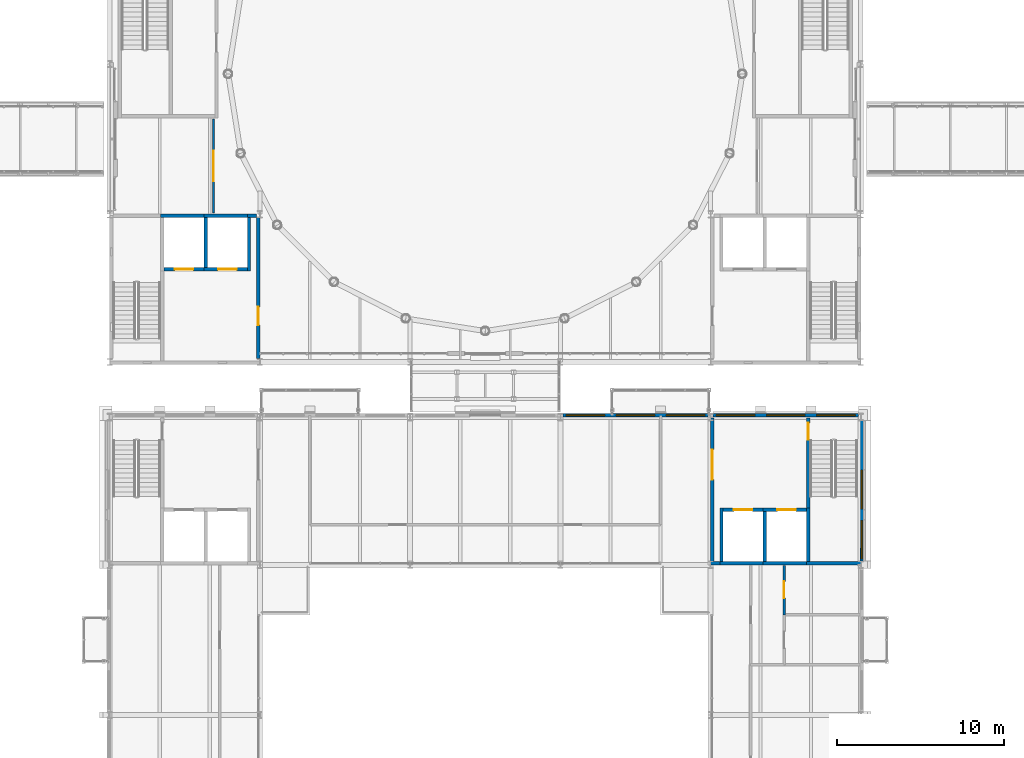
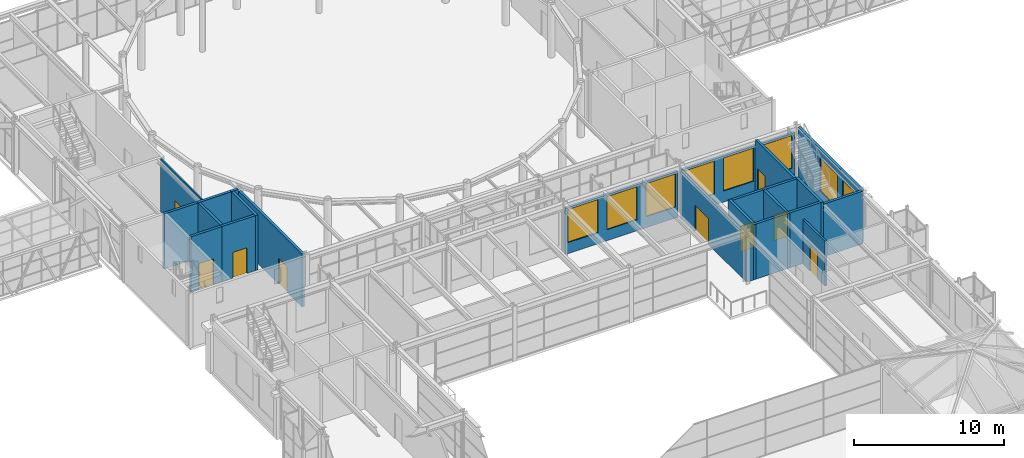
# One storey, part 97 of 149: 24 walls, 9 doors, 8 windows, 17 openings.
"""IFC4 building model written with IfcOpenShell, lengths in metres."""

from ifc_helpers import new_model, si_unit, direction, frame, frame_2d, origin, place, context, subcontext, project, spatial, rectangle, extrude, material, layer, layer_set, type_object, element, fill, save


model = new_model("IFC4")

# Units and contexts
model_context = context("Model", 3, precision=1e-05, world=origin(), true_north=direction((0.0, 1.0)))
body_context = subcontext(model_context, "Body", "Model", "MODEL_VIEW")
ifc_project = project(units=[si_unit("LENGTHUNIT", "METRE"), si_unit("AREAUNIT", "SQUARE_METRE"), si_unit("VOLUMEUNIT", "CUBIC_METRE"), si_unit("PLANEANGLEUNIT", "RADIAN"), si_unit("MASSUNIT", "GRAM", prefix="KILO")], contexts=[model_context])

# Site, building, storey
site_placement = place(None, origin())
site = spatial("IfcSite", under=ifc_project, at=site_placement, CompositionType="ELEMENT")
building_placement = place(site_placement, origin())
building = spatial("IfcBuilding", under=site, at=building_placement, Name="Kallimachos Central Library", CompositionType="ELEMENT")
storey_placement = place(building_placement, frame((0.0, 0.0, 9.89990234375)))
storey = spatial("IfcBuildingStorey", under=building, at=storey_placement, Name="L02", CompositionType="ELEMENT", Elevation=9.89990234375)

# Wall, opening, door
ifc_material_1 = material(Name="Concrete C30/37", Category="concrete")
ifc_layer_1 = layer(ifc_material_1, 0.199951171875)
ifc_layer_set_1 = layer_set([ifc_layer_1], Name="Core wall 200")
wall_type_1 = type_object("IfcWallType", Name="Core wall 200", PredefinedType="SOLIDWALL", material=ifc_layer_set_1)
wall_1_placement = place(storey_placement, frame((74.39990234375, 87.35009765625, 0.0), z_axis=(0.0, 0.0, 1.0), x_axis=(0.0, 1.0, 0.0)))
wall_1 = element("IfcWall", 1, at=wall_1_placement, inside=storey, type_object=wall_type_1, Name="Core wall V1-SW E", PredefinedType="SOLIDWALL", context=body_context, shape_type="SweptSolid", body=[
    extrude(rectangle(XDim=8.449951171875, YDim=0.199951171875, at=frame_2d((4.22509765625, 0.0))), origin(), (0.0, 0.0, 1.0), 4.35009765625),
])
opening_1_placement = place(wall_1_placement, frame((2.0, 0.0, 0.0)))
opening_1 = element("IfcOpeningElement", 2, at=opening_1_placement, cuts=wall_1, Name="Opening D222", PredefinedType="OPENING", context=body_context, shape_type="SweptSolid", body=[
    extrude(rectangle(XDim=1.10009765625, YDim=2.10009765625, at=frame_2d((0.550048828125, 1.050048828125))), frame((0.0, 0.10986328125, 0.0), z_axis=(0.0, -1.0, 0.0), x_axis=(1.0, 0.0, 0.0)), (0.0, 0.0, 1.0), 0.219970703125),
])
ifc_material_2 = material(Name="Steel fire door", Category="steel")
door_type_1 = type_object("IfcDoorType", Name="Fire door EI2 90 1100 x 2100", OperationType="NOTDEFINED", PredefinedType="DOOR", material=ifc_material_2)
door_1_placement = place(opening_1_placement, origin())
door_1 = element("IfcDoor", 3, at=door_1_placement, inside=storey, type_object=door_type_1, Name="V1-DOR-L02-008", OperationType="SINGLE_SWING_RIGHT", OverallHeight=2.10009765625, OverallWidth=1.10009765625, PredefinedType="DOOR", context=body_context, shape_type="SweptSolid", body=[
    extrude(rectangle(XDim=1.10009765625, YDim=2.10009765625, at=frame_2d((0.550048828125, 1.050048828125))), frame((0.0, 0.02490234375, 0.0), z_axis=(0.0, -1.0, 0.0), x_axis=(1.0, 0.0, 0.0)), (0.0, 0.0, 1.0), 0.050048828125),
])
fill(opening_1, door_1)

# Wall
wall_2_placement = place(storey_placement, frame((73.75, 95.89990234375, 0.0), z_axis=(0.0, 0.0, 1.0), x_axis=(1.0, 0.0, 0.0)))
element("IfcWall", 4, at=wall_2_placement, inside=storey, type_object=wall_type_1, Name="Core wall V1-SW N", PredefinedType="SOLIDWALL", context=body_context, shape_type="SweptSolid", body=[
    extrude(rectangle(XDim=0.550048828125, YDim=0.199951171875, at=frame_2d((0.27490234375, 0.0))), origin(), (0.0, 0.0, 1.0), 4.5),
])

# Wall, opening, door
ifc_material_3 = material(Name="Concrete C30/37", Category="concrete")
ifc_layer_2 = layer(ifc_material_3, 0.199951171875)
ifc_layer_set_2 = layer_set([ifc_layer_2], Name="Lift shaft wall 200")
wall_type_2 = type_object("IfcWallType", Name="Lift shaft wall 200", PredefinedType="SOLIDWALL", material=ifc_layer_set_2)
wall_3_placement = place(storey_placement, frame((104.64990234375, 78.300048828125, 0.0), z_axis=(0.0, 0.0, 1.0), x_axis=(1.0, 0.0, 0.0)))
wall_3 = element("IfcWall", 5, at=wall_3_placement, inside=storey, type_object=wall_type_2, Name="V4-WAL-L02-008", PredefinedType="SOLIDWALL", context=body_context, shape_type="SweptSolid", body=[
    extrude(rectangle(XDim=2.60009765625, YDim=0.199951171875, at=frame_2d((1.300048828125, 0.0))), origin(), (0.0, 0.0, 1.0), 4.5),
])
opening_2_placement = place(wall_3_placement, frame((0.85009765625, 0.0, 0.0)))
opening_2 = element("IfcOpeningElement", 6, at=opening_2_placement, cuts=wall_3, Name="Opening LD1100", PredefinedType="OPENING", context=body_context, shape_type="SweptSolid", body=[
    extrude(rectangle(XDim=1.10009765625, YDim=2.10009765625, at=frame_2d((0.550048828125, 1.050048828125))), frame((0.0, 0.10986328125, 0.0), z_axis=(0.0, -1.0, 0.0), x_axis=(1.0, 0.0, 0.0)), (0.0, 0.0, 1.0), 0.219970703125),
])
ifc_material_4 = material(Name="Stainless steel", Category="steel")
door_type_2 = type_object("IfcDoorType", Name="Lift landing door 1100 x 2100", OperationType="SLIDING_TO_LEFT", PredefinedType="DOOR", material=ifc_material_4)
door_2_placement = place(opening_2_placement, origin())
door_2 = element("IfcDoor", 7, at=door_2_placement, inside=storey, type_object=door_type_2, Name="LF9 landing door L02", OperationType="SLIDING_TO_LEFT", OverallHeight=2.10009765625, OverallWidth=1.10009765625, PredefinedType="DOOR", context=body_context, shape_type="SweptSolid", body=[
    extrude(rectangle(XDim=1.10009765625, YDim=2.10009765625, at=frame_2d((0.550048828125, 1.050048828125))), frame((0.0, 0.02490234375, 0.0), z_axis=(0.0, -1.0, 0.0), x_axis=(1.0, 0.0, 0.0)), (0.0, 0.0, 1.0), 0.050048828125),
])
fill(opening_2, door_2)

# Walls
wall_4_placement = place(storey_placement, frame((104.64990234375, 75.10009765625, 0.0), z_axis=(0.0, 0.0, 1.0), x_axis=(1.0, 0.0, 0.0)))
element("IfcWall", 8, at=wall_4_placement, inside=storey, type_object=wall_type_2, Name="V4-WAL-L02-009", PredefinedType="SOLIDWALL", context=body_context, shape_type="SweptSolid", body=[
    extrude(rectangle(XDim=2.60009765625, YDim=0.199951171875, at=frame_2d((1.300048828125, 0.0))), origin(), (0.0, 0.0, 1.0), 4.5),
])
for number, where, z_axis, x_axis, name in (
    (9, (104.75, 75.0, 0.0), (0.0, 0.0, 1.0), (0.0, 1.0, 0.0), "V4-WAL-L02-010"),
    (10, (107.35009765625, 75.0, 0.0), (0.0, 0.0, 1.0), (0.0, 1.0, 0.0), "V4-WAL-L02-011"),
):
    element("IfcWall", number, at=place(storey_placement, frame(where, z_axis=z_axis, x_axis=x_axis)), inside=storey, type_object=wall_type_2, Name=name, PredefinedType="SOLIDWALL", context=body_context, shape_type="SweptSolid", body=[
        extrude(rectangle(XDim=3.39990234375, YDim=0.199951171875, at=frame_2d((1.699951171875, 0.0))), origin(), (0.0, 0.0, 1.0), 4.5),
    ])

# Wall, opening, door
wall_5_placement = place(storey_placement, frame((102.25, 78.300048828125, 0.0), z_axis=(0.0, 0.0, 1.0), x_axis=(1.0, 0.0, 0.0)))
wall_5 = element("IfcWall", 11, at=wall_5_placement, inside=storey, type_object=wall_type_2, Name="V4-WAL-L02-012", PredefinedType="SOLIDWALL", context=body_context, shape_type="SweptSolid", body=[
    extrude(rectangle(XDim=2.39990234375, YDim=0.199951171875, at=frame_2d((1.199951171875, 0.0))), origin(), (0.0, 0.0, 1.0), 4.5),
])
opening_3_placement = place(wall_5_placement, frame((0.64990234375, 0.0, 0.0)))
opening_3 = element("IfcOpeningElement", 12, at=opening_3_placement, cuts=wall_5, Name="Opening LD1100", PredefinedType="OPENING", context=body_context, shape_type="SweptSolid", body=[
    extrude(rectangle(XDim=1.10009765625, YDim=2.10009765625, at=frame_2d((0.550048828125, 1.050048828125))), frame((0.0, 0.10986328125, 0.0), z_axis=(0.0, -1.0, 0.0), x_axis=(1.0, 0.0, 0.0)), (0.0, 0.0, 1.0), 0.219970703125),
])
door_3_placement = place(opening_3_placement, origin())
door_3 = element("IfcDoor", 13, at=door_3_placement, inside=storey, type_object=door_type_2, Name="LF10 landing door L02", OperationType="SLIDING_TO_LEFT", OverallHeight=2.10009765625, OverallWidth=1.10009765625, PredefinedType="DOOR", context=body_context, shape_type="SweptSolid", body=[
    extrude(rectangle(XDim=1.10009765625, YDim=2.10009765625, at=frame_2d((0.550048828125, 1.050048828125))), frame((0.0, 0.02490234375, 0.0), z_axis=(0.0, -1.0, 0.0), x_axis=(1.0, 0.0, 0.0)), (0.0, 0.0, 1.0), 0.050048828125),
])
fill(opening_3, door_3)

# Walls
wall_6_placement = place(storey_placement, frame((102.050048828125, 75.10009765625, 0.0), z_axis=(0.0, 0.0, 1.0), x_axis=(1.0, 0.0, 0.0)))
element("IfcWall", 14, at=wall_6_placement, inside=storey, type_object=wall_type_2, Name="V4-WAL-L02-013", PredefinedType="SOLIDWALL", context=body_context, shape_type="SweptSolid", body=[
    extrude(rectangle(XDim=2.599853515625, YDim=0.199951171875, at=frame_2d((1.2998046875, 0.0))), origin(), (0.0, 0.0, 1.0), 4.5),
])
wall_7_placement = place(storey_placement, frame((102.14990234375, 75.0, 0.0), z_axis=(0.0, 0.0, 1.0), x_axis=(0.0, 1.0, 0.0)))
element("IfcWall", 15, at=wall_7_placement, inside=storey, type_object=wall_type_2, Name="V4-WAL-L02-014", PredefinedType="SOLIDWALL", context=body_context, shape_type="SweptSolid", body=[
    extrude(rectangle(XDim=3.39990234375, YDim=0.199951171875, at=frame_2d((1.699951171875, 0.0))), origin(), (0.0, 0.0, 1.0), 4.5),
])
wall_8_placement = place(storey_placement, frame((68.550048828125, 95.89990234375, 0.0), z_axis=(0.0, 0.0, 1.0), x_axis=(1.0, 0.0, 0.0)))
element("IfcWall", 16, at=wall_8_placement, inside=storey, type_object=wall_type_2, Name="V1-WAL-L02-001", PredefinedType="SOLIDWALL", context=body_context, shape_type="SweptSolid", body=[
    extrude(rectangle(XDim=2.599853515625, YDim=0.199951171875, at=frame_2d((1.2998046875, 0.0))), origin(), (0.0, 0.0, 1.0), 4.5),
])

# Wall, opening, door
wall_9_placement = place(storey_placement, frame((68.75, 92.699951171875, 0.0), z_axis=(0.0, 0.0, 1.0), x_axis=(1.0, 0.0, 0.0)))
wall_9 = element("IfcWall", 17, at=wall_9_placement, inside=storey, type_object=wall_type_2, Name="V1-WAL-L02-002", PredefinedType="SOLIDWALL", context=body_context, shape_type="SweptSolid", body=[
    extrude(rectangle(XDim=2.39990234375, YDim=0.199951171875, at=frame_2d((1.199951171875, 0.0))), origin(), (0.0, 0.0, 1.0), 4.5),
])
opening_4_placement = place(wall_9_placement, frame((0.64990234375, 0.0, 0.0)))
opening_4 = element("IfcOpeningElement", 18, at=opening_4_placement, cuts=wall_9, Name="Opening LD1100", PredefinedType="OPENING", context=body_context, shape_type="SweptSolid", body=[
    extrude(rectangle(XDim=1.10009765625, YDim=2.10009765625, at=frame_2d((0.550048828125, 1.050048828125))), frame((0.0, 0.10986328125, 0.0), z_axis=(0.0, -1.0, 0.0), x_axis=(1.0, 0.0, 0.0)), (0.0, 0.0, 1.0), 0.219970703125),
])
door_4_placement = place(opening_4_placement, origin())
door_4 = element("IfcDoor", 19, at=door_4_placement, inside=storey, type_object=door_type_2, Name="LF1 landing door L02", OperationType="SLIDING_TO_LEFT", OverallHeight=2.10009765625, OverallWidth=1.10009765625, PredefinedType="DOOR", context=body_context, shape_type="SweptSolid", body=[
    extrude(rectangle(XDim=1.10009765625, YDim=2.10009765625, at=frame_2d((0.550048828125, 1.050048828125))), frame((0.0, 0.02490234375, 0.0), z_axis=(0.0, -1.0, 0.0), x_axis=(1.0, 0.0, 0.0)), (0.0, 0.0, 1.0), 0.050048828125),
])
fill(opening_4, door_4)

# Walls
wall_10_placement = place(storey_placement, frame((71.25, 92.60009765625, 0.0), z_axis=(0.0, 0.0, 1.0), x_axis=(0.0, 1.0, 0.0)))
element("IfcWall", 20, at=wall_10_placement, inside=storey, type_object=wall_type_2, Name="V1-WAL-L02-004", PredefinedType="SOLIDWALL", context=body_context, shape_type="SweptSolid", body=[
    extrude(rectangle(XDim=3.39990234375, YDim=0.199951171875, at=frame_2d((1.699951171875, 0.0))), origin(), (0.0, 0.0, 1.0), 4.5),
])
wall_11_placement = place(storey_placement, frame((71.14990234375, 95.89990234375, 0.0), z_axis=(0.0, 0.0, 1.0), x_axis=(1.0, 0.0, 0.0)))
element("IfcWall", 21, at=wall_11_placement, inside=storey, type_object=wall_type_2, Name="V1-WAL-L02-005", PredefinedType="SOLIDWALL", context=body_context, shape_type="SweptSolid", body=[
    extrude(rectangle(XDim=2.60009765625, YDim=0.199951171875, at=frame_2d((1.300048828125, 0.0))), origin(), (0.0, 0.0, 1.0), 4.5),
])

# Wall, opening, door
wall_12_placement = place(storey_placement, frame((71.14990234375, 92.699951171875, 0.0), z_axis=(0.0, 0.0, 1.0), x_axis=(1.0, 0.0, 0.0)))
wall_12 = element("IfcWall", 22, at=wall_12_placement, inside=storey, type_object=wall_type_2, Name="V1-WAL-L02-006", PredefinedType="SOLIDWALL", context=body_context, shape_type="SweptSolid", body=[
    extrude(rectangle(XDim=2.60009765625, YDim=0.199951171875, at=frame_2d((1.300048828125, 0.0))), origin(), (0.0, 0.0, 1.0), 4.5),
])
opening_5_placement = place(wall_12_placement, frame((0.85009765625, 0.0, 0.0)))
opening_5 = element("IfcOpeningElement", 23, at=opening_5_placement, cuts=wall_12, Name="Opening LD1100", PredefinedType="OPENING", context=body_context, shape_type="SweptSolid", body=[
    extrude(rectangle(XDim=1.10009765625, YDim=2.10009765625, at=frame_2d((0.550048828125, 1.050048828125))), frame((0.0, 0.10986328125, 0.0), z_axis=(0.0, -1.0, 0.0), x_axis=(1.0, 0.0, 0.0)), (0.0, 0.0, 1.0), 0.219970703125),
])
door_5_placement = place(opening_5_placement, origin())
door_5 = element("IfcDoor", 24, at=door_5_placement, inside=storey, type_object=door_type_2, Name="LF2 landing door L02", OperationType="SLIDING_TO_LEFT", OverallHeight=2.10009765625, OverallWidth=1.10009765625, PredefinedType="DOOR", context=body_context, shape_type="SweptSolid", body=[
    extrude(rectangle(XDim=1.10009765625, YDim=2.10009765625, at=frame_2d((0.550048828125, 1.050048828125))), frame((0.0, 0.02490234375, 0.0), z_axis=(0.0, -1.0, 0.0), x_axis=(1.0, 0.0, 0.0)), (0.0, 0.0, 1.0), 0.050048828125),
])
fill(opening_5, door_5)

# Wall
wall_13_placement = place(storey_placement, frame((73.85009765625, 92.60009765625, 0.0), z_axis=(0.0, 0.0, 1.0), x_axis=(0.0, 1.0, 0.0)))
element("IfcWall", 25, at=wall_13_placement, inside=storey, type_object=wall_type_2, Name="V1-WAL-L02-007", PredefinedType="SOLIDWALL", context=body_context, shape_type="SweptSolid", body=[
    extrude(rectangle(XDim=3.39990234375, YDim=0.199951171875, at=frame_2d((1.699951171875, 0.0))), origin(), (0.0, 0.0, 1.0), 4.5),
])

# Wall, opening, door
ifc_material_5 = material(Name="Plasterboard on steel studs", Category="steel")
ifc_layer_3 = layer(ifc_material_5, 0.10009765625)
ifc_layer_set_3 = layer_set([ifc_layer_3], Name="Partition 100")
wall_type_3 = type_object("IfcWallType", Name="Partition 100", PredefinedType="PARTITIONING", material=ifc_layer_set_3)
wall_14_placement = place(storey_placement, frame((71.719970703125, 101.695068359375, 0.0), z_axis=(0.0, 0.0, 1.0), x_axis=(0.0, -1.0, 0.0)))
wall_14 = element("IfcWall", 26, at=wall_14_placement, inside=storey, type_object=wall_type_3, Name="Partition", PredefinedType="PARTITIONING", context=body_context, shape_type="SweptSolid", body=[
    extrude(rectangle(XDim=5.614990234375, YDim=0.10009765625, at=frame_2d((2.8076171875, 0.0))), origin(), (0.0, 0.0, 1.0), 4.35009765625),
])
opening_6_placement = place(wall_14_placement, frame((1.907470703125, 0.0, 0.0)))
opening_6 = element("IfcOpeningElement", 27, at=opening_6_placement, cuts=wall_14, Name="Opening D264", PredefinedType="OPENING", context=body_context, shape_type="SweptSolid", body=[
    extrude(rectangle(XDim=1.800048828125, YDim=2.10009765625, at=frame_2d((0.89990234375, 1.050048828125))), frame((0.0, 0.06005859375, 0.0), z_axis=(0.0, -1.0, 0.0), x_axis=(1.0, 0.0, 0.0)), (0.0, 0.0, 1.0), 0.1201171875),
])
ifc_material_6 = material(Name="Oak veneered door leaf")
door_type_3 = type_object("IfcDoorType", Name="Double leaf door EI2 30 1800 x 2100", OperationType="DOUBLE_DOOR_SINGLE_SWING", PredefinedType="DOOR", material=ifc_material_6)
door_6_placement = place(opening_6_placement, origin())
door_6 = element("IfcDoor", 28, at=door_6_placement, inside=storey, type_object=door_type_3, Name="V1-DOR-L02-012", OperationType="DOUBLE_DOOR_SINGLE_SWING", OverallHeight=2.10009765625, OverallWidth=1.800048828125, PredefinedType="DOOR", context=body_context, shape_type="SweptSolid", body=[
    extrude(rectangle(XDim=1.800048828125, YDim=2.10009765625, at=frame_2d((0.89990234375, 1.050048828125))), frame((0.0, 0.02490234375, 0.0), z_axis=(0.0, -1.0, 0.0), x_axis=(1.0, 0.0, 0.0)), (0.0, 0.0, 1.0), 0.050048828125),
])
fill(opening_6, door_6)

ifc_material_7 = material(Name="Gypsum board on steel studs", Category="steel")
ifc_layer_4 = layer(ifc_material_7, 0.14990234375)
ifc_layer_set_4 = layer_set([ifc_layer_4], Name="Partition wall 150")
wall_type_4 = type_object("IfcWallType", Name="Partition wall 150", PredefinedType="PARTITIONING", material=ifc_layer_set_4)
wall_15_placement = place(storey_placement, frame((105.89990234375, 72.0, 0.0), z_axis=(0.0, 0.0, 1.0), x_axis=(0.0, 1.0, 0.0)))
wall_15 = element("IfcWall", 29, at=wall_15_placement, inside=storey, type_object=wall_type_4, Name="L02 partition", PredefinedType="PARTITIONING", context=body_context, shape_type="SweptSolid", body=[
    extrude(rectangle(XDim=2.949951171875, YDim=0.14990234375, at=frame_2d((1.47509765625, 0.0))), origin(), (0.0, 0.0, 1.0), 3.650146484375),
])
opening_7_placement = place(wall_15_placement, frame((1.0, 0.0, 0.0)))
opening_7 = element("IfcOpeningElement", 30, at=opening_7_placement, cuts=wall_15, Name="Opening D206", PredefinedType="OPENING", context=body_context, shape_type="SweptSolid", body=[
    extrude(rectangle(XDim=1.0, YDim=2.10009765625, at=frame_2d((0.5, 1.050048828125))), frame((0.0, 0.0849609375, 0.0), z_axis=(0.0, -1.0, 0.0), x_axis=(1.0, 0.0, 0.0)), (0.0, 0.0, 1.0), 0.169921875),
])
ifc_material_8 = material(Name="Timber", Category="wood")
door_type_4 = type_object("IfcDoorType", Name="Single leaf door 1000 x 2100, EI2 30", OperationType="NOTDEFINED", PredefinedType="DOOR", material=ifc_material_8)
door_7_placement = place(opening_7_placement, origin())
door_7 = element("IfcDoor", 31, at=door_7_placement, inside=storey, type_object=door_type_4, Name="L02 door Accessible WC", OperationType="SINGLE_SWING_LEFT", OverallHeight=2.10009765625, OverallWidth=1.0, PredefinedType="DOOR", context=body_context, shape_type="SweptSolid", body=[
    extrude(rectangle(XDim=1.0, YDim=2.10009765625, at=frame_2d((0.5, 1.050048828125))), frame((0.0, 0.02490234375, 0.0), z_axis=(0.0, -1.0, 0.0), x_axis=(1.0, 0.0, 0.0)), (0.0, 0.0, 1.0), 0.050048828125),
])
fill(opening_7, door_7)

# Walls
ifc_material_9 = material(Name="Concrete C35/45", Category="concrete")
ifc_layer_5 = layer(ifc_material_9, 0.199951171875)
ifc_layer_set_5 = layer_set([ifc_layer_5], Name="Shear core wall 200, internal")
wall_type_5 = type_object("IfcWallType", Name="Shear core wall 200, internal", PredefinedType="SHEAR", material=ifc_layer_set_5)
wall_16_placement = place(storey_placement, frame((101.5, 75.10009765625, 0.0), z_axis=(0.0, 0.0, 1.0), x_axis=(1.0, 0.0, 0.0)))
element("IfcWall", 32, at=wall_16_placement, inside=storey, type_object=wall_type_5, Name="L02 core wall V4-NE S", PredefinedType="SHEAR", context=body_context, shape_type="SweptSolid", body=[
    extrude(rectangle(XDim=0.550048828125, YDim=0.199951171875, at=frame_2d((0.27490234375, 0.0))), origin(), (0.0, 0.0, 1.0), 3.75),
])
wall_17_placement = place(storey_placement, frame((107.25, 75.10009765625, 0.0), z_axis=(0.0, 0.0, 1.0), x_axis=(1.0, 0.0, 0.0)))
element("IfcWall", 33, at=wall_17_placement, inside=storey, type_object=wall_type_5, Name="L02 core wall V4-NE S2", PredefinedType="SHEAR", context=body_context, shape_type="SweptSolid", body=[
    extrude(rectangle(XDim=3.25, YDim=0.199951171875, at=frame_2d((1.625, 0.0))), origin(), (0.0, 0.0, 1.0), 4.300048828125),
])

# Wall, opening, door
wall_18_placement = place(storey_placement, frame((101.60009765625, 75.199951171875, 0.0), z_axis=(0.0, 0.0, 1.0), x_axis=(0.0, 1.0, 0.0)))
wall_18 = element("IfcWall", 34, at=wall_18_placement, inside=storey, type_object=wall_type_5, Name="L02 core wall V4-NE E", PredefinedType="SHEAR", context=body_context, shape_type="SweptSolid", body=[
    extrude(rectangle(XDim=8.60009765625, YDim=0.199951171875, at=frame_2d((4.300048828125, 0.0))), origin(), (0.0, 0.0, 1.0), 3.75),
])
opening_8_placement = place(wall_18_placement, frame((4.89990234375, 0.0, 0.0)))
opening_8 = element("IfcOpeningElement", 35, at=opening_8_placement, cuts=wall_18, Name="Opening D159", PredefinedType="OPENING", context=body_context, shape_type="SweptSolid", body=[
    extrude(rectangle(XDim=1.800048828125, YDim=2.10009765625, at=frame_2d((0.89990234375, 1.050048828125))), frame((0.0, 0.10986328125, 0.0), z_axis=(0.0, -1.0, 0.0), x_axis=(1.0, 0.0, 0.0)), (0.0, 0.0, 1.0), 0.219970703125),
])
ifc_material_10 = material(Name="Timber and glass", Category="wood")
door_type_5 = type_object("IfcDoorType", Name="Double leaf door 1800 x 2100, EI2 90", OperationType="DOUBLE_DOOR_SINGLE_SWING", PredefinedType="DOOR", material=ifc_material_10)
door_8_placement = place(opening_8_placement, origin())
door_8 = element("IfcDoor", 36, at=door_8_placement, inside=storey, type_object=door_type_5, Name="L02 core door V4-NE", OperationType="DOUBLE_DOOR_SINGLE_SWING", OverallHeight=2.10009765625, OverallWidth=1.800048828125, PredefinedType="DOOR", context=body_context, shape_type="SweptSolid", body=[
    extrude(rectangle(XDim=1.800048828125, YDim=2.10009765625, at=frame_2d((0.89990234375, 1.050048828125))), frame((0.0, 0.02490234375, 0.0), z_axis=(0.0, -1.0, 0.0), x_axis=(1.0, 0.0, 0.0)), (0.0, 0.0, 1.0), 0.050048828125),
])
fill(opening_8, door_8)

wall_19_placement = place(storey_placement, frame((107.35009765625, 78.39990234375, 0.0), z_axis=(0.0, 0.0, 1.0), x_axis=(0.0, 1.0, 0.0)))
wall_19 = element("IfcWall", 37, at=wall_19_placement, inside=storey, type_object=wall_type_5, Name="L02 core wall V4-NE M", PredefinedType="SHEAR", context=body_context, shape_type="SweptSolid", body=[
    extrude(rectangle(XDim=5.400146484375, YDim=0.199951171875, at=frame_2d((2.7001953125, 0.0))), origin(), (0.0, 0.0, 1.0), 4.300048828125),
])
opening_9_placement = place(wall_19_placement, frame((4.10009765625, 0.0, 0.0)))
opening_9 = element("IfcOpeningElement", 38, at=opening_9_placement, cuts=wall_19, Name="Opening D164", PredefinedType="OPENING", context=body_context, shape_type="SweptSolid", body=[
    extrude(rectangle(XDim=1.0, YDim=2.10009765625, at=frame_2d((0.5, 1.050048828125))), frame((0.0, 0.10986328125, 0.0), z_axis=(0.0, -1.0, 0.0), x_axis=(1.0, 0.0, 0.0)), (0.0, 0.0, 1.0), 0.219970703125),
])
ifc_material_11 = material(Name="Timber", Category="wood")
door_type_6 = type_object("IfcDoorType", Name="Single leaf door 1000 x 2100, EI2 90", OperationType="NOTDEFINED", PredefinedType="DOOR", material=ifc_material_11)
door_9_placement = place(opening_9_placement, frame((1.0, 0.0, 0.0), z_axis=(0.0, 0.0, 1.0), x_axis=(-1.0, 0.0, 0.0)))
door_9 = element("IfcDoor", 39, at=door_9_placement, inside=storey, type_object=door_type_6, Name="L02 core door V4-NE", OperationType="SINGLE_SWING_LEFT", OverallHeight=2.10009765625, OverallWidth=1.0, PredefinedType="DOOR", context=body_context, shape_type="SweptSolid", body=[
    extrude(rectangle(XDim=1.0, YDim=2.10009765625, at=frame_2d((0.5, 1.050048828125))), frame((0.0, 0.02490234375, 0.0), z_axis=(0.0, -1.0, 0.0), x_axis=(1.0, 0.0, 0.0)), (0.0, 0.0, 1.0), 0.050048828125),
])
fill(opening_9, door_9)

# Wall, openings, windows
ifc_material_12 = material(Name="Brick masonry with Pentelic marble cladding", Category="masonry")
ifc_layer_6 = layer(ifc_material_12, 0.199951171875)
ifc_layer_set_6 = layer_set([ifc_layer_6], Name="Stone-clad masonry wall 200")
wall_type_6 = type_object("IfcWallType", Name="Stone-clad masonry wall 200", PredefinedType="SOLIDWALL", material=ifc_layer_set_6)
wall_20_placement = place(storey_placement, frame((92.653564453125, 83.966064453125, 0.0), z_axis=(0.0, 0.0, 1.0), x_axis=(1.0, 0.0, 0.0)))
wall_20 = element("IfcWall", 40, at=wall_20_placement, inside=storey, type_object=wall_type_6, Name="V4-WAL-L02-018", PredefinedType="SOLIDWALL", context=body_context, shape_type="SweptSolid", body=[
    extrude(rectangle(XDim=8.69287109375, YDim=0.199951171875, at=frame_2d((4.346435546875, 0.0))), origin(), (0.0, 0.0, 1.0), 3.75),
])
opening_10_placement = place(wall_20_placement, frame((0.196533203125, 0.0, 0.89990234375)))
opening_10 = element("IfcOpeningElement", 41, at=opening_10_placement, cuts=wall_20, Name="Opening WN161", PredefinedType="OPENING", context=body_context, shape_type="SweptSolid", body=[
    extrude(rectangle(XDim=2.300048828125, YDim=2.699951171875, at=frame_2d((1.14990234375, 1.35009765625))), frame((0.0, 0.10986328125, 0.0), z_axis=(0.0, -1.0, 0.0), x_axis=(1.0, 0.0, 0.0)), (0.0, 0.0, 1.0), 0.219970703125),
])
opening_11_placement = place(wall_20_placement, frame((3.196533203125, 0.0, 0.89990234375)))
opening_11 = element("IfcOpeningElement", 42, at=opening_11_placement, cuts=wall_20, Name="Opening WN161", PredefinedType="OPENING", context=body_context, shape_type="SweptSolid", body=[
    extrude(rectangle(XDim=2.300048828125, YDim=2.699951171875, at=frame_2d((1.14990234375, 1.35009765625))), frame((0.0, 0.10986328125, 0.0), z_axis=(0.0, -1.0, 0.0), x_axis=(1.0, 0.0, 0.0)), (0.0, 0.0, 1.0), 0.219970703125),
])
opening_12_placement = place(wall_20_placement, frame((6.196533203125, 0.0, 0.89990234375)))
opening_12 = element("IfcOpeningElement", 43, at=opening_12_placement, cuts=wall_20, Name="Opening WN161", PredefinedType="OPENING", context=body_context, shape_type="SweptSolid", body=[
    extrude(rectangle(XDim=2.300048828125, YDim=2.699951171875, at=frame_2d((1.14990234375, 1.35009765625))), frame((0.0, 0.10986328125, 0.0), z_axis=(0.0, -1.0, 0.0), x_axis=(1.0, 0.0, 0.0)), (0.0, 0.0, 1.0), 0.219970703125),
])
ifc_material_13 = material(Name="Anodised aluminium and laminated glass", Category="aluminium")
window_type_1 = type_object("IfcWindowType", Name="Window 2300 x 2700", PartitioningType="DOUBLE_PANEL_VERTICAL", PredefinedType="WINDOW", material=ifc_material_13)
window_1_placement = place(opening_10_placement, origin())
window_1 = element("IfcWindow", 44, at=window_1_placement, inside=storey, type_object=window_type_1, Name="V4-WIN-L02-009", OverallHeight=2.699951171875, OverallWidth=2.300048828125, PartitioningType="SINGLE_PANEL", PredefinedType="WINDOW", context=body_context, shape_type="SweptSolid", body=[
    extrude(rectangle(XDim=2.300048828125, YDim=2.699951171875, at=frame_2d((1.14990234375, 1.35009765625))), frame((0.0, 0.030029296875, 0.0), z_axis=(0.0, -1.0, 0.0), x_axis=(1.0, 0.0, 0.0)), (0.0, 0.0, 1.0), 0.06005859375),
])
fill(opening_10, window_1)
window_2_placement = place(opening_11_placement, origin())
window_2 = element("IfcWindow", 45, at=window_2_placement, inside=storey, type_object=window_type_1, Name="V4-WIN-L02-010", OverallHeight=2.699951171875, OverallWidth=2.300048828125, PartitioningType="SINGLE_PANEL", PredefinedType="WINDOW", context=body_context, shape_type="SweptSolid", body=[
    extrude(rectangle(XDim=2.300048828125, YDim=2.699951171875, at=frame_2d((1.14990234375, 1.35009765625))), frame((0.0, 0.030029296875, 0.0), z_axis=(0.0, -1.0, 0.0), x_axis=(1.0, 0.0, 0.0)), (0.0, 0.0, 1.0), 0.06005859375),
])
fill(opening_11, window_2)
window_3_placement = place(opening_12_placement, origin())
window_3 = element("IfcWindow", 46, at=window_3_placement, inside=storey, type_object=window_type_1, Name="V4-WIN-L02-011", OverallHeight=2.699951171875, OverallWidth=2.300048828125, PartitioningType="SINGLE_PANEL", PredefinedType="WINDOW", context=body_context, shape_type="SweptSolid", body=[
    extrude(rectangle(XDim=2.300048828125, YDim=2.699951171875, at=frame_2d((1.14990234375, 1.35009765625))), frame((0.0, 0.030029296875, 0.0), z_axis=(0.0, -1.0, 0.0), x_axis=(1.0, 0.0, 0.0)), (0.0, 0.0, 1.0), 0.06005859375),
])
fill(opening_12, window_3)

ifc_material_14 = material(Name="Brick masonry with Pentelic marble cladding", Category="masonry")
ifc_layer_7 = layer(ifc_material_14, 0.199951171875)
ifc_layer_set_7 = layer_set([ifc_layer_7], Name="Stone-clad masonry wall 200, EI 120")
wall_type_7 = type_object("IfcWallType", Name="Stone-clad masonry wall 200, EI 120", PredefinedType="SOLIDWALL", material=ifc_layer_set_7)
wall_21_placement = place(storey_placement, frame((101.653564453125, 83.966064453125, 0.0), z_axis=(0.0, 0.0, 1.0), x_axis=(1.0, 0.0, 0.0)))
wall_21 = element("IfcWall", 47, at=wall_21_placement, inside=storey, type_object=wall_type_7, Name="V4-WAL-L02-019", PredefinedType="SOLIDWALL", context=body_context, shape_type="SweptSolid", body=[
    extrude(rectangle(XDim=8.69287109375, YDim=0.199951171875, at=frame_2d((4.346435546875, 0.0))), origin(), (0.0, 0.0, 1.0), 3.75),
])
opening_13_placement = place(wall_21_placement, frame((0.196533203125, 0.0, 0.89990234375)))
opening_13 = element("IfcOpeningElement", 48, at=opening_13_placement, cuts=wall_21, Name="Opening WN268", PredefinedType="OPENING", context=body_context, shape_type="SweptSolid", body=[
    extrude(rectangle(XDim=2.300048828125, YDim=2.699951171875, at=frame_2d((1.14990234375, 1.35009765625))), frame((0.0, 0.10986328125, 0.0), z_axis=(0.0, -1.0, 0.0), x_axis=(1.0, 0.0, 0.0)), (0.0, 0.0, 1.0), 0.219970703125),
])
opening_14_placement = place(wall_21_placement, frame((3.196533203125, 0.0, 0.89990234375)))
opening_14 = element("IfcOpeningElement", 49, at=opening_14_placement, cuts=wall_21, Name="Opening WN268", PredefinedType="OPENING", context=body_context, shape_type="SweptSolid", body=[
    extrude(rectangle(XDim=2.300048828125, YDim=2.699951171875, at=frame_2d((1.14990234375, 1.35009765625))), frame((0.0, 0.10986328125, 0.0), z_axis=(0.0, -1.0, 0.0), x_axis=(1.0, 0.0, 0.0)), (0.0, 0.0, 1.0), 0.219970703125),
])
opening_15_placement = place(wall_21_placement, frame((6.196533203125, 0.0, 0.89990234375)))
opening_15 = element("IfcOpeningElement", 50, at=opening_15_placement, cuts=wall_21, Name="Opening WN268", PredefinedType="OPENING", context=body_context, shape_type="SweptSolid", body=[
    extrude(rectangle(XDim=2.300048828125, YDim=2.699951171875, at=frame_2d((1.14990234375, 1.35009765625))), frame((0.0, 0.10986328125, 0.0), z_axis=(0.0, -1.0, 0.0), x_axis=(1.0, 0.0, 0.0)), (0.0, 0.0, 1.0), 0.219970703125),
])
ifc_material_15 = material(Name="Anodised aluminium and laminated glass", Category="aluminium")
window_type_2 = type_object("IfcWindowType", Name="Window 2300 x 2700, EI 120", PartitioningType="DOUBLE_PANEL_VERTICAL", PredefinedType="WINDOW", material=ifc_material_15)
window_4_placement = place(opening_13_placement, origin())
window_4 = element("IfcWindow", 51, at=window_4_placement, inside=storey, type_object=window_type_2, Name="V4-WIN-L02-012", OverallHeight=2.699951171875, OverallWidth=2.300048828125, PartitioningType="SINGLE_PANEL", PredefinedType="WINDOW", context=body_context, shape_type="SweptSolid", body=[
    extrude(rectangle(XDim=2.300048828125, YDim=2.699951171875, at=frame_2d((1.14990234375, 1.35009765625))), frame((0.0, 0.030029296875, 0.0), z_axis=(0.0, -1.0, 0.0), x_axis=(1.0, 0.0, 0.0)), (0.0, 0.0, 1.0), 0.06005859375),
])
fill(opening_13, window_4)
window_5_placement = place(opening_14_placement, origin())
window_5 = element("IfcWindow", 52, at=window_5_placement, inside=storey, type_object=window_type_2, Name="V4-WIN-L02-013", OverallHeight=2.699951171875, OverallWidth=2.300048828125, PartitioningType="SINGLE_PANEL", PredefinedType="WINDOW", context=body_context, shape_type="SweptSolid", body=[
    extrude(rectangle(XDim=2.300048828125, YDim=2.699951171875, at=frame_2d((1.14990234375, 1.35009765625))), frame((0.0, 0.030029296875, 0.0), z_axis=(0.0, -1.0, 0.0), x_axis=(1.0, 0.0, 0.0)), (0.0, 0.0, 1.0), 0.06005859375),
])
fill(opening_14, window_5)
window_6_placement = place(opening_15_placement, origin())
window_6 = element("IfcWindow", 53, at=window_6_placement, inside=storey, type_object=window_type_2, Name="V4-WIN-L02-014", OverallHeight=2.699951171875, OverallWidth=2.300048828125, PartitioningType="SINGLE_PANEL", PredefinedType="WINDOW", context=body_context, shape_type="SweptSolid", body=[
    extrude(rectangle(XDim=2.300048828125, YDim=2.699951171875, at=frame_2d((1.14990234375, 1.35009765625))), frame((0.0, 0.030029296875, 0.0), z_axis=(0.0, -1.0, 0.0), x_axis=(1.0, 0.0, 0.0)), (0.0, 0.0, 1.0), 0.06005859375),
])
fill(opening_15, window_6)

ifc_material_16 = material(Name="Brick masonry with Pentelic marble cladding", Category="masonry")
ifc_layer_8 = layer(ifc_material_16, 0.199951171875)
ifc_layer_set_8 = layer_set([ifc_layer_8], Name="Stone-clad masonry wall 200, load-bearing, EI 120")
wall_type_8 = type_object("IfcWallType", Name="Stone-clad masonry wall 200, load-bearing, EI 120", PredefinedType="SOLIDWALL", material=ifc_layer_set_8)
wall_22_placement = place(storey_placement, frame((110.553466796875, 75.216064453125, 0.0), z_axis=(0.0, 0.0, 1.0), x_axis=(0.0, 1.0, 0.0)))
wall_22 = element("IfcWall", 54, at=wall_22_placement, inside=storey, type_object=wall_type_8, Name="V4-WAL-L02-025", PredefinedType="SOLIDWALL", context=body_context, shape_type="SweptSolid", body=[
    extrude(rectangle(XDim=8.41796875, YDim=0.199951171875, at=frame_2d((4.208984375, 0.0))), origin(), (0.0, 0.0, 1.0), 4.300048828125),
])
opening_16_placement = place(wall_22_placement, frame((0.134033203125, 0.0, 0.89990234375)))
opening_16 = element("IfcOpeningElement", 55, at=opening_16_placement, cuts=wall_22, Name="Opening WN268", PredefinedType="OPENING", context=body_context, shape_type="SweptSolid", body=[
    extrude(rectangle(XDim=2.300048828125, YDim=2.699951171875, at=frame_2d((1.14990234375, 1.35009765625))), frame((0.0, 0.10986328125, 0.0), z_axis=(0.0, -1.0, 0.0), x_axis=(1.0, 0.0, 0.0)), (0.0, 0.0, 1.0), 0.219970703125),
])
opening_17_placement = place(wall_22_placement, frame((3.134033203125, 0.0, 0.89990234375)))
opening_17 = element("IfcOpeningElement", 56, at=opening_17_placement, cuts=wall_22, Name="Opening WN268", PredefinedType="OPENING", context=body_context, shape_type="SweptSolid", body=[
    extrude(rectangle(XDim=2.300048828125, YDim=2.699951171875, at=frame_2d((1.14990234375, 1.35009765625))), frame((0.0, 0.10986328125, 0.0), z_axis=(0.0, -1.0, 0.0), x_axis=(1.0, 0.0, 0.0)), (0.0, 0.0, 1.0), 0.219970703125),
])
window_7_placement = place(opening_16_placement, origin())
window_7 = element("IfcWindow", 57, at=window_7_placement, inside=storey, type_object=window_type_2, Name="V4-WIN-L02-029", OverallHeight=2.699951171875, OverallWidth=2.300048828125, PartitioningType="SINGLE_PANEL", PredefinedType="WINDOW", context=body_context, shape_type="SweptSolid", body=[
    extrude(rectangle(XDim=2.300048828125, YDim=2.699951171875, at=frame_2d((1.14990234375, 1.35009765625))), frame((0.0, 0.030029296875, 0.0), z_axis=(0.0, -1.0, 0.0), x_axis=(1.0, 0.0, 0.0)), (0.0, 0.0, 1.0), 0.06005859375),
])
fill(opening_16, window_7)
window_8_placement = place(opening_17_placement, origin())
window_8 = element("IfcWindow", 58, at=window_8_placement, inside=storey, type_object=window_type_2, Name="V4-WIN-L02-030", OverallHeight=2.699951171875, OverallWidth=2.300048828125, PartitioningType="SINGLE_PANEL", PredefinedType="WINDOW", context=body_context, shape_type="SweptSolid", body=[
    extrude(rectangle(XDim=2.300048828125, YDim=2.699951171875, at=frame_2d((1.14990234375, 1.35009765625))), frame((0.0, 0.030029296875, 0.0), z_axis=(0.0, -1.0, 0.0), x_axis=(1.0, 0.0, 0.0)), (0.0, 0.0, 1.0), 0.06005859375),
])
fill(opening_17, window_8)

save(model, "model.ifc")
